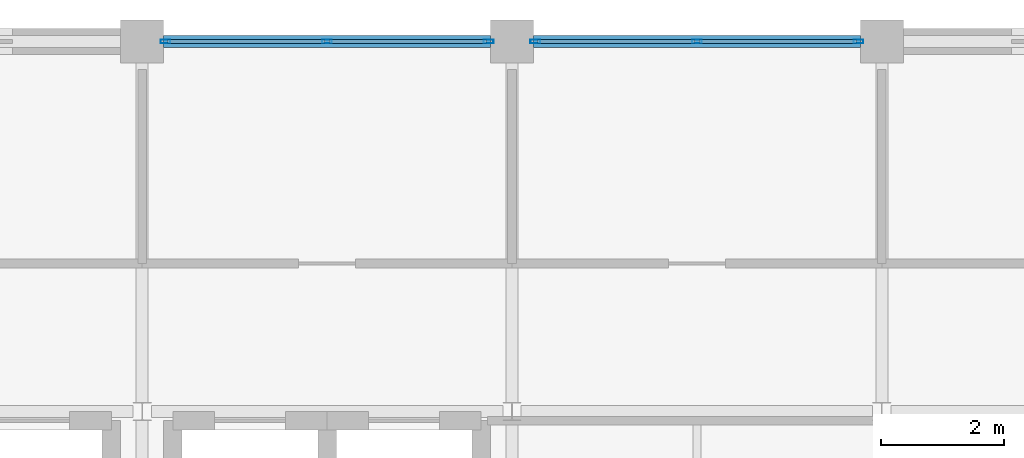
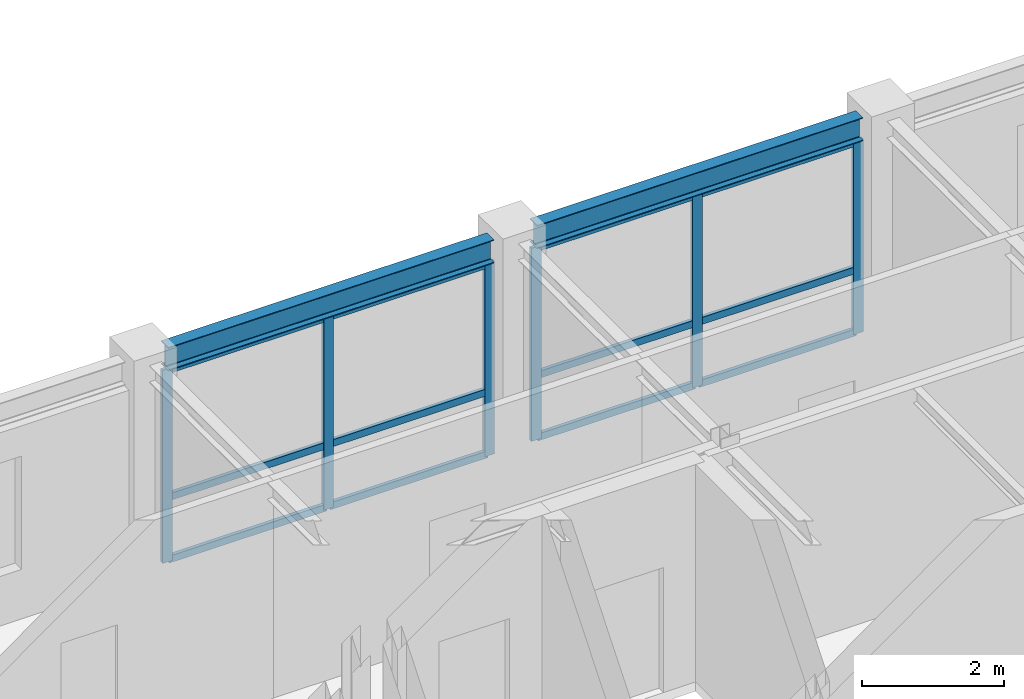
# One storey, part 6 of 11: 18 members, 2 beams, 2 elements without a shape of their own.
"""IFC4 building model written with IfcOpenShell, lengths in metres."""

from ifc_helpers import new_model, si_unit, direction, frame, origin, origin_2d, place, context, subcontext, project, spatial, hollow_rectangle, i_section, extrude, material, layer, layer_set, material_profile, profile_set, type_object, element, aggregate, save


model = new_model("IFC4")

# Units and contexts
model_context = context("Model", 3, precision=1e-05, world=origin(), true_north=direction((0.0, 1.0)))
body_context = subcontext(model_context, "Body", "Model", "MODEL_VIEW")
ifc_project = project(units=[si_unit("LENGTHUNIT", "METRE"), si_unit("AREAUNIT", "SQUARE_METRE"), si_unit("VOLUMEUNIT", "CUBIC_METRE"), si_unit("PLANEANGLEUNIT", "RADIAN"), si_unit("MASSUNIT", "GRAM", prefix="KILO")], contexts=[model_context])

# Site, building, storey
site_placement = place(None, origin())
site = spatial("IfcSite", under=ifc_project, at=site_placement, CompositionType="ELEMENT")
building_placement = place(site_placement, origin())
building = spatial("IfcBuilding", under=site, at=building_placement, Name="Zlatovratsky Civic Hall", CompositionType="ELEMENT")
storey_placement = place(building_placement, frame((0.0, 0.0, 60.0)))
storey = spatial("IfcBuildingStorey", under=building, at=storey_placement, Name="L15", CompositionType="ELEMENT", Elevation=60.0)

# Beams
ifc_material_1 = material(Name="Steel S355", Category="steel")
ifc_material_profile_1 = material_profile(ifc_material_1, i_section(OverallWidth=0.199951171875, OverallDepth=0.39990234375, WebThickness=0.008056640625, FlangeThickness=0.012939453125, FilletRadius=0.014892578125, at=origin_2d()), Name="40B2")
ifc_profile_set_1 = profile_set([ifc_material_profile_1], Name="Steel S355")
beam_type = type_object("IfcBeamType", Name="Beam_Spandrel_40B2", PredefinedType="SPANDREL", material=ifc_profile_set_1)
for number, where, z_axis, x_axis, name in (
    (1, (78.35009765625, 102.0, 3.5400390625), (1.0, 0.0, 0.0), (0.0, 1.0, 0.0), "BM-5074"),
    (2, (84.35009765625, 102.0, 3.5400390625), (1.0, 0.0, 0.0), (0.0, 1.0, 0.0), "BM-5075"),
):
    element("IfcBeam", number, at=place(storey_placement, frame(where, z_axis=z_axis, x_axis=x_axis)), inside=storey, type_object=beam_type, Name=name, PredefinedType="SPANDREL", context=body_context, shape_type="SweptSolid", body=[
        extrude(i_section(OverallWidth=0.199951171875, OverallDepth=0.39990234375, WebThickness=0.008056640625, FlangeThickness=0.012939453125, FilletRadius=0.014892578125, at=origin_2d()), origin(), (0.0, 0.0, 1.0), 5.2998046875),
    ])

# Curtain wall, members
ifc_material_2 = material(Name="Anodised bronze aluminium", Category="aluminium")
ifc_layer = layer(ifc_material_2, 0.159912109375)
ifc_layer_set = layer_set([ifc_layer], Name="Anodised bronze aluminium")
curtain_wall_type = type_object("IfcCurtainWallType", Name="CurtainWall_Bronze_5300x3320_21", PredefinedType="NOTDEFINED", material=ifc_layer_set)
curtain_wall_1_placement = place(storey_placement, origin())
curtain_wall_1 = element("IfcCurtainWall", 3, at=curtain_wall_1_placement, inside=storey, type_object=curtain_wall_type, Name="CW-171", PredefinedType="NOTDEFINED")
ifc_material_profile_2 = material_profile(ifc_material_2, hollow_rectangle(XDim=0.06005859375, YDim=0.159912109375, WallThickness=0.00390625, at=origin_2d()), Name="ALU 60x160x4")
ifc_profile_set_2 = profile_set([ifc_material_profile_2], Name="Anodised bronze aluminium")
member_type_1 = type_object("IfcMemberType", Name="CW_Mullion_60x160", PredefinedType="MULLION", material=ifc_profile_set_2)
member_1_placement = place(storey_placement, frame((78.3798828125, 102.0, 0.0), z_axis=(0.0, 0.0, 1.0), x_axis=(0.0, 1.0, 0.0)))
member_1 = element("IfcMember", 4, at=member_1_placement, type_object=member_type_1, Name="CW-21 mullion 1", PredefinedType="MULLION", context=body_context, shape_type="SweptSolid", body=[
    extrude(hollow_rectangle(XDim=0.06005859375, YDim=0.159912109375, WallThickness=0.00390625, at=origin_2d()), origin(), (0.0, 0.0, 1.0), 3.320068359375),
])
member_2_placement = place(storey_placement, frame((81.0, 102.0, 0.0), z_axis=(0.0, 0.0, 1.0), x_axis=(0.0, 1.0, 0.0)))
member_2 = element("IfcMember", 5, at=member_2_placement, type_object=member_type_1, Name="CW-21 mullion 2", PredefinedType="MULLION", context=body_context, shape_type="SweptSolid", body=[
    extrude(hollow_rectangle(XDim=0.06005859375, YDim=0.159912109375, WallThickness=0.00390625, at=origin_2d()), origin(), (0.0, 0.0, 1.0), 3.320068359375),
])
member_3_placement = place(storey_placement, frame((83.6201171875, 102.0, 0.0), z_axis=(0.0, 0.0, 1.0), x_axis=(0.0, 1.0, 0.0)))
member_3 = element("IfcMember", 6, at=member_3_placement, type_object=member_type_1, Name="CW-21 mullion 3", PredefinedType="MULLION", context=body_context, shape_type="SweptSolid", body=[
    extrude(hollow_rectangle(XDim=0.06005859375, YDim=0.159912109375, WallThickness=0.00390625, at=origin_2d()), origin(), (0.0, 0.0, 1.0), 3.320068359375),
])

curtain_wall_2_placement = place(storey_placement, origin())
curtain_wall_2 = element("IfcCurtainWall", 7, at=curtain_wall_2_placement, inside=storey, type_object=curtain_wall_type, Name="CW-172", PredefinedType="NOTDEFINED")
member_4_placement = place(storey_placement, frame((84.3798828125, 102.0, 0.0), z_axis=(0.0, 0.0, 1.0), x_axis=(0.0, 1.0, 0.0)))
member_4 = element("IfcMember", 8, at=member_4_placement, type_object=member_type_1, Name="CW-21 mullion 1", PredefinedType="MULLION", context=body_context, shape_type="SweptSolid", body=[
    extrude(hollow_rectangle(XDim=0.06005859375, YDim=0.159912109375, WallThickness=0.00390625, at=origin_2d()), origin(), (0.0, 0.0, 1.0), 3.320068359375),
])
member_5_placement = place(storey_placement, frame((87.0, 102.0, 0.0), z_axis=(0.0, 0.0, 1.0), x_axis=(0.0, 1.0, 0.0)))
member_5 = element("IfcMember", 9, at=member_5_placement, type_object=member_type_1, Name="CW-21 mullion 2", PredefinedType="MULLION", context=body_context, shape_type="SweptSolid", body=[
    extrude(hollow_rectangle(XDim=0.06005859375, YDim=0.159912109375, WallThickness=0.00390625, at=origin_2d()), origin(), (0.0, 0.0, 1.0), 3.320068359375),
])
member_6_placement = place(storey_placement, frame((89.6201171875, 102.0, 0.0), z_axis=(0.0, 0.0, 1.0), x_axis=(0.0, 1.0, 0.0)))
member_6 = element("IfcMember", 10, at=member_6_placement, type_object=member_type_1, Name="CW-21 mullion 3", PredefinedType="MULLION", context=body_context, shape_type="SweptSolid", body=[
    extrude(hollow_rectangle(XDim=0.06005859375, YDim=0.159912109375, WallThickness=0.00390625, at=origin_2d()), origin(), (0.0, 0.0, 1.0), 3.320068359375),
])

# Member
ifc_material_profile_3 = material_profile(ifc_material_2, hollow_rectangle(XDim=0.06005859375, YDim=0.1201171875, WallThickness=0.00390625, at=origin_2d()), Name="ALU 60x120x4")
ifc_profile_set_3 = profile_set([ifc_material_profile_3], Name="Anodised bronze aluminium")
member_type_2 = type_object("IfcMemberType", Name="CW_Transom_60x120", PredefinedType="USERDEFINED", material=ifc_profile_set_3)
member_7_placement = place(storey_placement, frame((78.409912109375, 102.0, 0.030029296875), z_axis=(1.0, 0.0, 0.0), x_axis=(0.0, 1.0, 0.0)))
member_7 = element("IfcMember", 11, at=member_7_placement, type_object=member_type_2, Name="CW-21 transom 1.1", ObjectType="TRANSOM", PredefinedType="USERDEFINED", context=body_context, shape_type="SweptSolid", body=[
    extrude(hollow_rectangle(XDim=0.06005859375, YDim=0.1201171875, WallThickness=0.00390625, at=origin_2d()), origin(), (0.0, 0.0, 1.0), 2.56005859375),
])

member_8_placement = place(storey_placement, frame((78.409912109375, 102.0, 1.10009765625), z_axis=(1.0, 0.0, 0.0), x_axis=(0.0, 1.0, 0.0)))
member_8 = element("IfcMember", 12, at=member_8_placement, type_object=member_type_2, Name="CW-21 transom 1.2", ObjectType="TRANSOM", PredefinedType="USERDEFINED", context=body_context, shape_type="SweptSolid", body=[
    extrude(hollow_rectangle(XDim=0.06005859375, YDim=0.1201171875, WallThickness=0.00390625, at=origin_2d()), origin(), (0.0, 0.0, 1.0), 2.56005859375),
])

member_9_placement = place(storey_placement, frame((78.409912109375, 102.0, 3.2900390625), z_axis=(1.0, 0.0, 0.0), x_axis=(0.0, 1.0, 0.0)))
member_9 = element("IfcMember", 13, at=member_9_placement, type_object=member_type_2, Name="CW-21 transom 1.3", ObjectType="TRANSOM", PredefinedType="USERDEFINED", context=body_context, shape_type="SweptSolid", body=[
    extrude(hollow_rectangle(XDim=0.06005859375, YDim=0.1201171875, WallThickness=0.00390625, at=origin_2d()), origin(), (0.0, 0.0, 1.0), 2.56005859375),
])

member_10_placement = place(storey_placement, frame((81.030029296875, 102.0, 0.030029296875), z_axis=(1.0, 0.0, 0.0), x_axis=(0.0, 1.0, 0.0)))
member_10 = element("IfcMember", 14, at=member_10_placement, type_object=member_type_2, Name="CW-21 transom 2.1", ObjectType="TRANSOM", PredefinedType="USERDEFINED", context=body_context, shape_type="SweptSolid", body=[
    extrude(hollow_rectangle(XDim=0.06005859375, YDim=0.1201171875, WallThickness=0.00390625, at=origin_2d()), origin(), (0.0, 0.0, 1.0), 2.56005859375),
])

member_11_placement = place(storey_placement, frame((81.030029296875, 102.0, 1.10009765625), z_axis=(1.0, 0.0, 0.0), x_axis=(0.0, 1.0, 0.0)))
member_11 = element("IfcMember", 15, at=member_11_placement, type_object=member_type_2, Name="CW-21 transom 2.2", ObjectType="TRANSOM", PredefinedType="USERDEFINED", context=body_context, shape_type="SweptSolid", body=[
    extrude(hollow_rectangle(XDim=0.06005859375, YDim=0.1201171875, WallThickness=0.00390625, at=origin_2d()), origin(), (0.0, 0.0, 1.0), 2.56005859375),
])

member_12_placement = place(storey_placement, frame((81.030029296875, 102.0, 3.2900390625), z_axis=(1.0, 0.0, 0.0), x_axis=(0.0, 1.0, 0.0)))
member_12 = element("IfcMember", 16, at=member_12_placement, type_object=member_type_2, Name="CW-21 transom 2.3", ObjectType="TRANSOM", PredefinedType="USERDEFINED", context=body_context, shape_type="SweptSolid", body=[
    extrude(hollow_rectangle(XDim=0.06005859375, YDim=0.1201171875, WallThickness=0.00390625, at=origin_2d()), origin(), (0.0, 0.0, 1.0), 2.56005859375),
])

aggregate(curtain_wall_1, [member_1, member_2, member_3, member_7, member_8, member_9, member_10, member_11, member_12])

member_13_placement = place(storey_placement, frame((84.409912109375, 102.0, 0.030029296875), z_axis=(1.0, 0.0, 0.0), x_axis=(0.0, 1.0, 0.0)))
member_13 = element("IfcMember", 17, at=member_13_placement, type_object=member_type_2, Name="CW-21 transom 1.1", ObjectType="TRANSOM", PredefinedType="USERDEFINED", context=body_context, shape_type="SweptSolid", body=[
    extrude(hollow_rectangle(XDim=0.06005859375, YDim=0.1201171875, WallThickness=0.00390625, at=origin_2d()), origin(), (0.0, 0.0, 1.0), 2.56005859375),
])

member_14_placement = place(storey_placement, frame((84.409912109375, 102.0, 1.10009765625), z_axis=(1.0, 0.0, 0.0), x_axis=(0.0, 1.0, 0.0)))
member_14 = element("IfcMember", 18, at=member_14_placement, type_object=member_type_2, Name="CW-21 transom 1.2", ObjectType="TRANSOM", PredefinedType="USERDEFINED", context=body_context, shape_type="SweptSolid", body=[
    extrude(hollow_rectangle(XDim=0.06005859375, YDim=0.1201171875, WallThickness=0.00390625, at=origin_2d()), origin(), (0.0, 0.0, 1.0), 2.56005859375),
])

member_15_placement = place(storey_placement, frame((84.409912109375, 102.0, 3.2900390625), z_axis=(1.0, 0.0, 0.0), x_axis=(0.0, 1.0, 0.0)))
member_15 = element("IfcMember", 19, at=member_15_placement, type_object=member_type_2, Name="CW-21 transom 1.3", ObjectType="TRANSOM", PredefinedType="USERDEFINED", context=body_context, shape_type="SweptSolid", body=[
    extrude(hollow_rectangle(XDim=0.06005859375, YDim=0.1201171875, WallThickness=0.00390625, at=origin_2d()), origin(), (0.0, 0.0, 1.0), 2.56005859375),
])

member_16_placement = place(storey_placement, frame((87.030029296875, 102.0, 0.030029296875), z_axis=(1.0, 0.0, 0.0), x_axis=(0.0, 1.0, 0.0)))
member_16 = element("IfcMember", 20, at=member_16_placement, type_object=member_type_2, Name="CW-21 transom 2.1", ObjectType="TRANSOM", PredefinedType="USERDEFINED", context=body_context, shape_type="SweptSolid", body=[
    extrude(hollow_rectangle(XDim=0.06005859375, YDim=0.1201171875, WallThickness=0.00390625, at=origin_2d()), origin(), (0.0, 0.0, 1.0), 2.56005859375),
])

member_17_placement = place(storey_placement, frame((87.030029296875, 102.0, 1.10009765625), z_axis=(1.0, 0.0, 0.0), x_axis=(0.0, 1.0, 0.0)))
member_17 = element("IfcMember", 21, at=member_17_placement, type_object=member_type_2, Name="CW-21 transom 2.2", ObjectType="TRANSOM", PredefinedType="USERDEFINED", context=body_context, shape_type="SweptSolid", body=[
    extrude(hollow_rectangle(XDim=0.06005859375, YDim=0.1201171875, WallThickness=0.00390625, at=origin_2d()), origin(), (0.0, 0.0, 1.0), 2.56005859375),
])

member_18_placement = place(storey_placement, frame((87.030029296875, 102.0, 3.2900390625), z_axis=(1.0, 0.0, 0.0), x_axis=(0.0, 1.0, 0.0)))
member_18 = element("IfcMember", 22, at=member_18_placement, type_object=member_type_2, Name="CW-21 transom 2.3", ObjectType="TRANSOM", PredefinedType="USERDEFINED", context=body_context, shape_type="SweptSolid", body=[
    extrude(hollow_rectangle(XDim=0.06005859375, YDim=0.1201171875, WallThickness=0.00390625, at=origin_2d()), origin(), (0.0, 0.0, 1.0), 2.56005859375),
])

aggregate(curtain_wall_2, [member_4, member_5, member_6, member_13, member_14, member_15, member_16, member_17, member_18])

save(model, "model.ifc")
